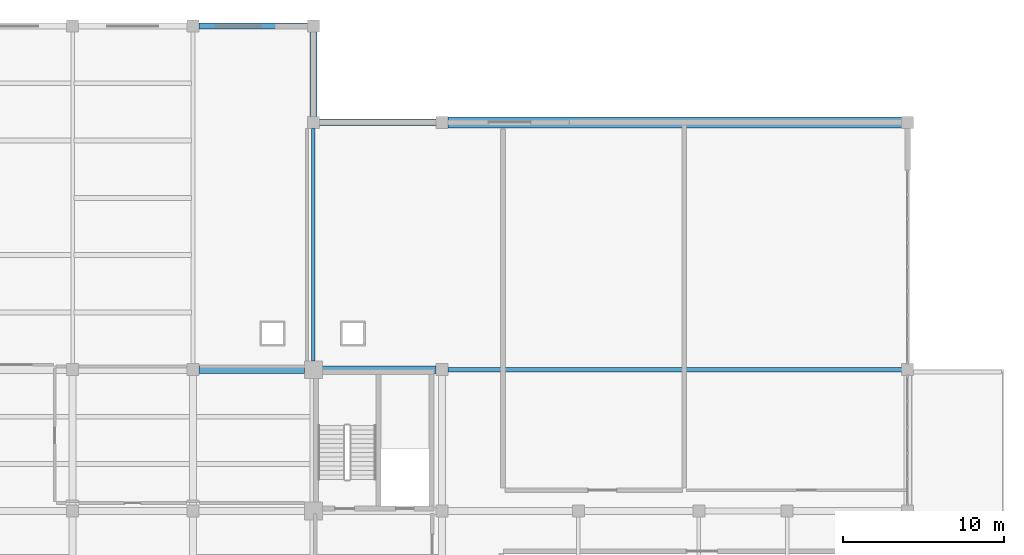
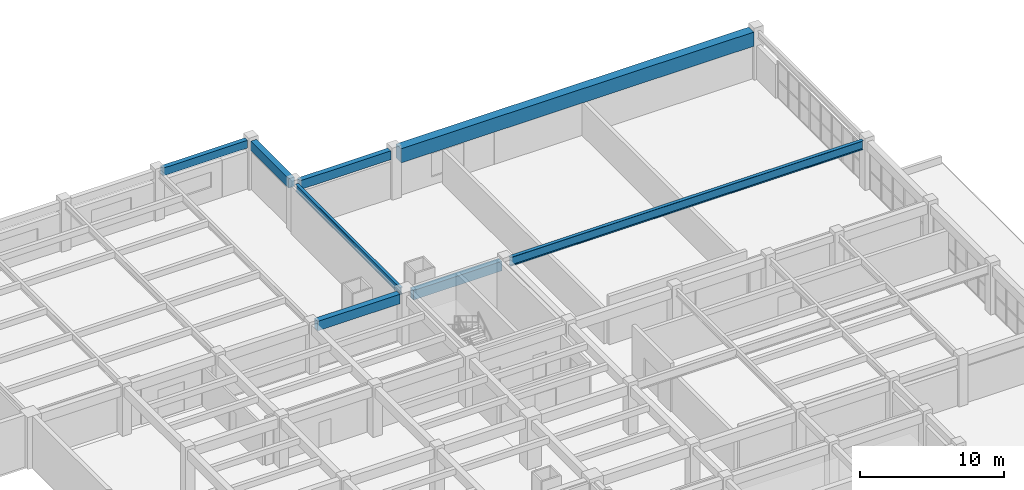
# One storey, part 50 of 90: 8 beams.
"""IFC4 building model written with IfcOpenShell, lengths in metres."""

from ifc_helpers import new_model, si_unit, direction, frame, origin, origin_2d, place, context, subcontext, project, spatial, rectangle, i_section, extrude, material, material_profile, profile_set, type_object, element, save


model = new_model("IFC4")

# Units and contexts
model_context = context("Model", 3, precision=1e-05, world=origin(), true_north=direction((0.0, 1.0)))
body_context = subcontext(model_context, "Body", "Model", "MODEL_VIEW")
ifc_project = project(units=[si_unit("LENGTHUNIT", "METRE"), si_unit("AREAUNIT", "SQUARE_METRE"), si_unit("VOLUMEUNIT", "CUBIC_METRE"), si_unit("PLANEANGLEUNIT", "RADIAN"), si_unit("MASSUNIT", "GRAM", prefix="KILO")], contexts=[model_context])

# Site, building, storey
site_placement = place(None, origin())
site = spatial("IfcSite", under=ifc_project, at=site_placement, CompositionType="ELEMENT")
building_placement = place(site_placement, origin())
building = spatial("IfcBuilding", under=site, at=building_placement, Name="Muzn Square Opera House", CompositionType="ELEMENT")
storey_placement = place(building_placement, frame((0.0, 0.0, 9.800048828125)))
storey = spatial("IfcBuildingStorey", under=building, at=storey_placement, Name="L02", CompositionType="ELEMENT", Elevation=9.800048828125)

# Beams
ifc_material_1 = material(Name="Steel S355", Category="steel")
ifc_material_profile_1 = material_profile(ifc_material_1, i_section(OverallWidth=0.264892578125, OverallDepth=0.7529296875, WebThickness=0.01318359375, FlangeThickness=0.01708984375, FilletRadius=0.01708984375, at=origin_2d()), Name="IPE 750x147", Category="steel")
ifc_profile_set_1 = profile_set([ifc_material_profile_1], Name="Steel S355")
beam_type_1 = type_object("IfcBeamType", Name="Long Span Foyer Beam IPE750", PredefinedType="BEAM", material=ifc_profile_set_1)
beam_1_placement = place(storey_placement, frame((141.366943359375, 98.60009765625, 3.703369140625), z_axis=(1.0, 0.0, 0.0), x_axis=(0.0, 1.0, 0.0)))
element("IfcBeam", 1, at=beam_1_placement, inside=storey, type_object=beam_type_1, Name="Primary Girder BM-L02-BM-LF750-1414_986_1696_986-2102", PredefinedType="BEAM", context=body_context, shape_type="SweptSolid", body=[
    extrude(i_section(OverallWidth=0.264892578125, OverallDepth=0.7529296875, WebThickness=0.01318359375, FlangeThickness=0.01708984375, FilletRadius=0.01708984375, at=origin_2d()), origin(), (0.0, 0.0, 1.0), 28.26611328125),
])
ifc_material_2 = material(Name="Concrete C40/50", Category="concrete")
ifc_material_profile_2 = material_profile(ifc_material_2, rectangle(XDim=0.449951171875, YDim=0.800048828125, at=origin_2d()), Name="RCB 450x800", Category="concrete")
ifc_profile_set_2 = profile_set([ifc_material_profile_2], Name="Concrete C40/50")
beam_type_2 = type_object("IfcBeamType", Name="Primary Girder 450x800", PredefinedType="BEAM", material=ifc_profile_set_2)
beam_2_placement = place(storey_placement, frame((125.866943359375, 98.60009765625, 3.75), z_axis=(1.0, 0.0, 0.0), x_axis=(0.0, 1.0, 0.0)))
element("IfcBeam", 2, at=beam_2_placement, inside=storey, type_object=beam_type_2, Name="Primary Girder BM-L02-BM-PG800-1259_986_1325_986-2100", PredefinedType="BEAM", context=body_context, shape_type="SweptSolid", body=[
    extrude(rectangle(XDim=0.449951171875, YDim=0.800048828125, at=origin_2d()), origin(), (0.0, 0.0, 1.0), 6.591064453125),
])
beam_3_placement = place(storey_placement, frame((133.5419921875, 98.60009765625, 3.679931640625), z_axis=(1.0, 0.0, 0.0), x_axis=(0.0, 1.0, 0.0)))
element("IfcBeam", 3, at=beam_3_placement, inside=storey, type_object=beam_type_2, Name="Primary Girder BM-L02-BM-PG800-1335_986_1406_986-2101", PredefinedType="BEAM", context=body_context, shape_type="SweptSolid", body=[
    extrude(rectangle(XDim=0.449951171875, YDim=0.800048828125, at=origin_2d()), origin(), (0.0, 0.0, 1.0), 7.091064453125),
])
beam_4_placement = place(storey_placement, frame((133.0, 114.366943359375, 3.719970703125), z_axis=(0.0, 1.0, 0.0), x_axis=(-1.0, 0.0, 0.0)))
element("IfcBeam", 4, at=beam_4_placement, inside=storey, type_object=beam_type_2, Name="Primary Girder BM-N114-L02-020", PredefinedType="BEAM", context=body_context, shape_type="SweptSolid", body=[
    extrude(rectangle(XDim=0.449951171875, YDim=0.800048828125, at=origin_2d()), origin(), (0.0, 0.0, 1.0), 5.26611328125),
])
ifc_material_profile_3 = material_profile(ifc_material_2, rectangle(XDim=0.699951171875, YDim=1.199951171875, at=origin_2d()), Name="RCB 700x1200", Category="concrete")
ifc_profile_set_3 = profile_set([ifc_material_profile_3], Name="Concrete C40/50")
beam_type_3 = type_object("IfcBeamType", Name="Primary Girder 700x1200", PredefinedType="BEAM", material=ifc_profile_set_3)
beam_5_placement = place(storey_placement, frame((141.366943359375, 114.0, 3.47998046875), z_axis=(1.0, 0.0, 0.0), x_axis=(0.0, 1.0, 0.0)))
element("IfcBeam", 5, at=beam_5_placement, inside=storey, type_object=beam_type_3, Name="Spandrel Beam BM-N114-L02-017", PredefinedType="BEAM", context=body_context, shape_type="SweptSolid", body=[
    extrude(rectangle(XDim=0.699951171875, YDim=1.199951171875, at=origin_2d()), origin(), (0.0, 0.0, 1.0), 28.26611328125),
])
ifc_material_profile_4 = material_profile(ifc_material_2, rectangle(XDim=0.35009765625, YDim=0.64990234375, at=origin_2d()), Name="RCS 350x650", Category="concrete")
ifc_profile_set_4 = profile_set([ifc_material_profile_4], Name="Concrete C40/50")
beam_type_4 = type_object("IfcBeamType", Name="Spandrel Beam 350x650", PredefinedType="SPANDREL", material=ifc_profile_set_4)
beam_6_placement = place(storey_placement, frame((125.866943359375, 120.0, 3.794921875), z_axis=(1.0, 0.0, 0.0), x_axis=(0.0, 1.0, 0.0)))
element("IfcBeam", 6, at=beam_6_placement, inside=storey, type_object=beam_type_4, Name="Spandrel Beam BM-L02-BM-SP650-1259_1200_1326_1200-2116", PredefinedType="SPANDREL", context=body_context, shape_type="SweptSolid", body=[
    extrude(rectangle(XDim=0.35009765625, YDim=0.64990234375, at=origin_2d()), origin(), (0.0, 0.0, 1.0), 6.76611328125),
])
ifc_material_profile_5 = material_profile(ifc_material_2, rectangle(XDim=0.39990234375, YDim=0.75, at=origin_2d()), Name="RCS 400x750", Category="concrete")
ifc_profile_set_5 = profile_set([ifc_material_profile_5], Name="Concrete C40/50")
beam_type_5 = type_object("IfcBeamType", Name="Spandrel Beam 400x750", PredefinedType="SPANDREL", material=ifc_profile_set_5)
beam_7_placement = place(storey_placement, frame((133.366943359375, 114.0, 3.704833984375), z_axis=(1.0, 0.0, 0.0), x_axis=(0.0, 1.0, 0.0)))
element("IfcBeam", 7, at=beam_7_placement, inside=storey, type_object=beam_type_5, Name="Spandrel Beam BM-N114-L02-016", PredefinedType="SPANDREL", context=body_context, shape_type="SweptSolid", body=[
    extrude(rectangle(XDim=0.39990234375, YDim=0.75, at=origin_2d()), origin(), (0.0, 0.0, 1.0), 7.26611328125),
])
ifc_material_profile_6 = material_profile(ifc_material_1, i_section(OverallWidth=0.219970703125, OverallDepth=0.60009765625, WebThickness=0.011962890625, FlangeThickness=0.01904296875, FilletRadius=0.02392578125, at=origin_2d()), Name="IPE 600", Category="steel")
ifc_profile_set_6 = profile_set([ifc_material_profile_6], Name="Steel S355")
beam_type_6 = type_object("IfcBeamType", Name="Stage Gallery Beam IPE600", PredefinedType="BEAM", material=ifc_profile_set_6)
beam_8_placement = place(storey_placement, frame((133.0, 99.14208984375, 3.780029296875), z_axis=(0.0, 1.0, 0.0), x_axis=(-1.0, 0.0, 0.0)))
element("IfcBeam", 8, at=beam_8_placement, inside=storey, type_object=beam_type_6, Name="Primary Girder BM-N114-L02-018", PredefinedType="BEAM", context=body_context, shape_type="SweptSolid", body=[
    extrude(i_section(OverallWidth=0.219970703125, OverallDepth=0.60009765625, WebThickness=0.011962890625, FlangeThickness=0.01904296875, FilletRadius=0.02392578125, at=origin_2d()), origin(), (0.0, 0.0, 1.0), 14.490966796875),
])

save(model, "model.ifc")
